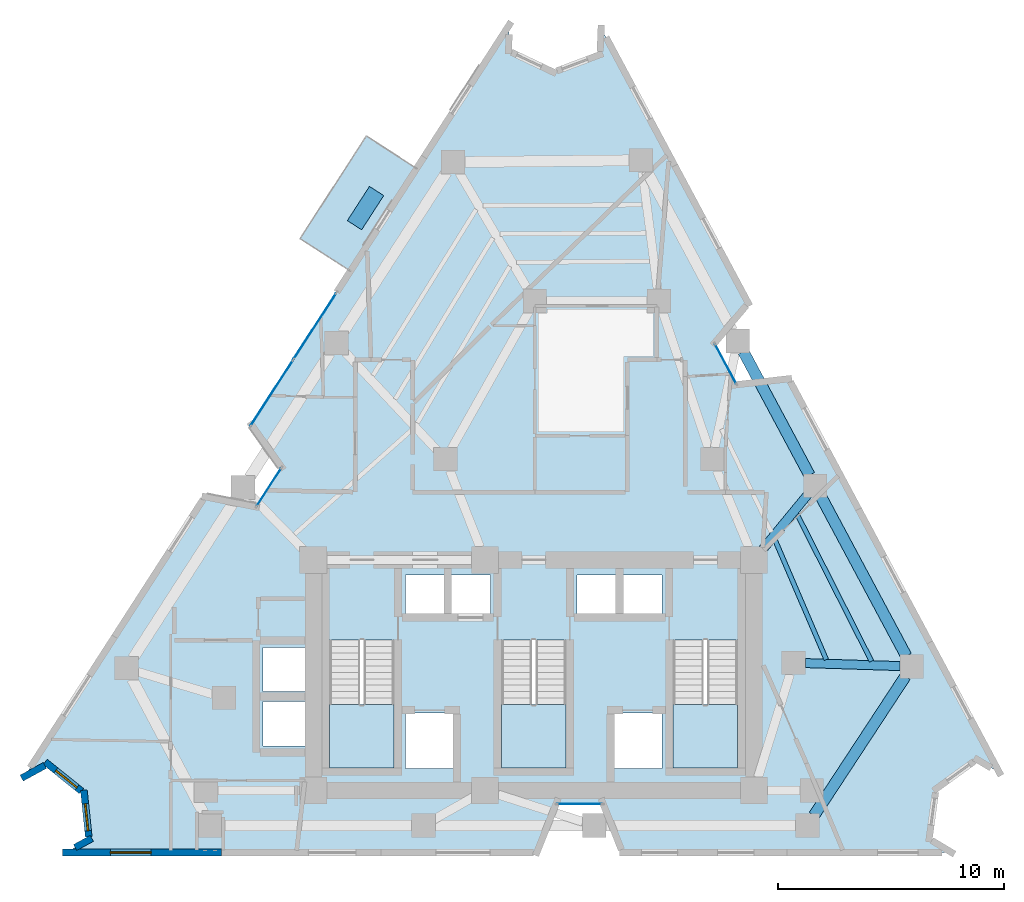
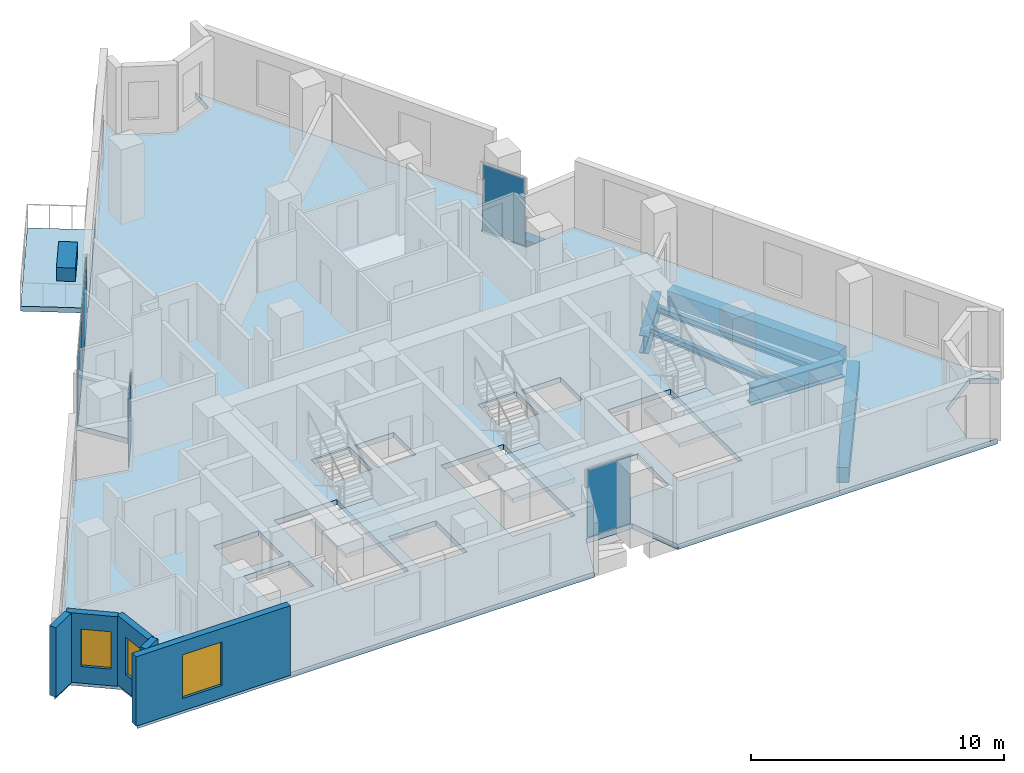
# One storey, part 4 of 10: 7 beams, 6 plates, 5 slabs, 5 walls, 3 windows, 3 openings, 7 elements without a shape of their own.
"""IFC4 building model written with IfcOpenShell, lengths in metres."""

import ifcopenshell
import ifcopenshell.guid

model = None  # the IFC model being written
_history = None  # IfcOwnerHistory: only IFC2X3 demands one
_inside = {}  # id of a spatial element -> (the spatial element, [elements in it])
_under = {}  # id of a project, library or spatial element -> (it, [spatial elements below it])
_declared = {}  # id of a project -> (the project, [libraries it declares])
_typed = {}  # id of a type object -> (the type object, [elements of that type])
_made_of = {}  # id of a material, layer set ... -> (it, [elements and type objects made of it])


def new_model(schema):
    """Start an empty IFC model of exactly this schema.

    Asked for "IFC4X3", IfcOpenShell would pick the latest addendum, in which some entities
    have other attributes; the version numbers below select the first issue.
    IFC2X3 requires an IfcOwnerHistory on every rooted entity: one is made here for all.
    """
    global model, _history
    if schema == "IFC4X3":
        model = ifcopenshell.file(schema_version=(4, 3, 0, 0))
    else:
        model = ifcopenshell.file(schema=schema)
    _inside.clear()
    _under.clear()
    _declared.clear()
    _typed.clear()
    _made_of.clear()
    _history = None
    if model.schema == "IFC2X3":
        org = make("IfcOrganization", Name="unknown")
        user = make(
            "IfcPersonAndOrganization",
            ThePerson=make("IfcPerson", FamilyName="unknown"),
            TheOrganization=org,
        )
        app = make(
            "IfcApplication",
            ApplicationDeveloper=org,
            Version="unknown",
            ApplicationFullName="unknown",
            ApplicationIdentifier="unknown",
        )
        _history = make(
            "IfcOwnerHistory",
            OwningUser=user,
            OwningApplication=app,
            ChangeAction="ADDED",
            CreationDate=0,
        )
    return model


def make(cls, **values):
    """One entity of the class cls with the attributes given. An attribute that is None is left unset."""
    return model.create_entity(
        cls, **{name: value for name, value in values.items() if value is not None}
    )


def rooted(cls, **values):
    """An entity with a GlobalId (a new one), such as an element, a storey or a relation."""
    return make(cls, GlobalId=ifcopenshell.guid.new(), OwnerHistory=_history, **values)


def si_unit(unit_type, name, prefix=None):
    """IfcSIUnit, for example si_unit("LENGTHUNIT", "METRE", prefix="MILLI")."""
    return make("IfcSIUnit", UnitType=unit_type, Prefix=prefix, Name=name)


def assignment(units):
    """IfcUnitAssignment: the units of a project."""
    return None if units is None else make("IfcUnitAssignment", Units=units)


def point(xyz):
    """IfcCartesianPoint."""
    return None if xyz is None else make("IfcCartesianPoint", Coordinates=xyz)


def direction(xyz):
    """IfcDirection."""
    return None if xyz is None else make("IfcDirection", DirectionRatios=xyz)


def frame(location, z_axis=None, x_axis=None):
    """IfcAxis2Placement3D, a coordinate frame: its origin and axes. An axis left out is left unset."""
    return make(
        "IfcAxis2Placement3D",
        Location=point(location),
        Axis=direction(z_axis),
        RefDirection=direction(x_axis),
    )


def frame_2d(location, x_axis=None):
    """IfcAxis2Placement2D, a coordinate frame in the plane: its origin and x axis."""
    return make(
        "IfcAxis2Placement2D", Location=point(location), RefDirection=direction(x_axis)
    )


def origin():
    """The frame at (0, 0, 0) with its axes left unset."""
    return frame((0.0, 0.0, 0.0))


def origin_2d():
    """The frame at (0, 0) in the plane with its x axis left unset."""
    return frame_2d((0.0, 0.0))


def place(relative_to, where):
    """IfcLocalPlacement: puts the frame where relative to a parent placement (None: the world)."""
    return make(
        "IfcLocalPlacement", PlacementRelTo=relative_to, RelativePlacement=where
    )


def context(
    kind, dimensions, precision=None, world=None, true_north=None, identifier=None
):
    """IfcGeometricRepresentationContext, for example the 3D "Model" context."""
    return make(
        "IfcGeometricRepresentationContext",
        ContextIdentifier=identifier,
        ContextType=kind,
        CoordinateSpaceDimension=dimensions,
        Precision=precision,
        WorldCoordinateSystem=world,
        TrueNorth=true_north,
    )


def subcontext(parent, identifier, kind, view, scale=None):
    """IfcGeometricRepresentationSubContext, for example "Body" below "Model"."""
    return make(
        "IfcGeometricRepresentationSubContext",
        ContextIdentifier=identifier,
        ContextType=kind,
        ParentContext=parent,
        TargetScale=scale,
        TargetView=view,
    )


def project(units=None, contexts=None):
    """IfcProject with its units and contexts."""
    return rooted(
        "IfcProject",
        Name="project",
        RepresentationContexts=contexts,
        UnitsInContext=assignment(units),
    )


def spatial(cls, under=None, at=None, **own):
    """A site, building, storey or space (cls), placed at a placement, below another one or the project."""
    s = rooted(cls, ObjectPlacement=at, **own)
    if under is not None:
        _under.setdefault(under.id(), (under, []))[1].append(s)
    return s


def polyline(points):
    """IfcPolyline through the points."""
    return make("IfcPolyline", Points=[point(p) for p in points])


def profile(cls, at=None, kind="AREA", **sizes):
    """A parametric profile (cls). Its sizes go by their IFC names, for example OverallWidth=200.0."""
    return make(cls, ProfileType=kind, Position=at, **sizes)


def rectangle(**sizes):
    """IfcRectangleProfileDef."""
    return profile("IfcRectangleProfileDef", **sizes)


def i_section(**sizes):
    """IfcIShapeProfileDef."""
    return profile("IfcIShapeProfileDef", **sizes)


def outline(outer, holes=None, kind="AREA"):
    """IfcArbitraryClosedProfileDef: a profile drawn as a closed curve; with holes, ...WithVoids."""
    if holes is None:
        return make("IfcArbitraryClosedProfileDef", ProfileType=kind, OuterCurve=outer)
    return make(
        "IfcArbitraryProfileDefWithVoids",
        ProfileType=kind,
        OuterCurve=outer,
        InnerCurves=holes,
    )


def extrude(swept, where, along, depth):
    """IfcExtrudedAreaSolid: the profile swept, set in the frame where, extruded along a direction by depth."""
    return make(
        "IfcExtrudedAreaSolid",
        SweptArea=swept,
        Position=where,
        ExtrudedDirection=direction(along),
        Depth=depth,
    )


def shape(context_of_items, identifier, shape_type, items):
    """IfcShapeRepresentation: the items that make up one representation, for example the "Body"."""
    return make(
        "IfcShapeRepresentation",
        ContextOfItems=context_of_items,
        RepresentationIdentifier=identifier,
        RepresentationType=shape_type,
        Items=items,
    )


def material(Name=None, Category=None):
    """IfcMaterial."""
    return make("IfcMaterial", Name=Name, Category=Category)


def layer(
    of_material, thickness, ventilated=None, Name=None, Category=None, Priority=None
):
    """IfcMaterialLayer: one layer of a wall or slab, of a material (None: an air gap)."""
    return make(
        "IfcMaterialLayer",
        Material=of_material,
        LayerThickness=thickness,
        IsVentilated=ventilated,
        Name=Name,
        Category=Category,
        Priority=Priority,
    )


def layer_set(layers, Name=None):
    """IfcMaterialLayerSet."""
    return make("IfcMaterialLayerSet", MaterialLayers=layers, LayerSetName=Name)


def material_profile(
    of_material, cross_section, Name=None, Category=None, Priority=None
):
    """IfcMaterialProfile: a cross section and its material."""
    return make(
        "IfcMaterialProfile",
        Name=Name,
        Material=of_material,
        Profile=cross_section,
        Priority=Priority,
        Category=Category,
    )


def profile_set(profiles, Name=None, composite=None):
    """IfcMaterialProfileSet."""
    return make(
        "IfcMaterialProfileSet",
        Name=Name,
        MaterialProfiles=profiles,
        CompositeProfile=composite,
    )


def made_of(thing, what):
    """Note that an element or type object is made of a material, layer set ...; save() writes the relation."""
    if what is not None:
        _made_of.setdefault(what.id(), (what, []))[1].append(thing)
    return thing


def type_object(cls, material=None, **own):
    """A type object (cls), such as IfcWallType, which elements share."""
    return made_of(rooted(cls, **own), material)


def element(
    cls,
    number,
    at=None,
    inside=None,
    cuts=None,
    type_object=None,
    material=None,
    context=None,
    identifier="Body",
    shape_type=None,
    held_by="IfcProductDefinitionShape",
    body=None,
    shapes=None,
    **own,
):
    """One element of the class cls, such as IfcWall. Its Tag is "e" and its number.

    at: its placement. inside: the storey or other place that contains it. cuts: it is an
    opening in that element (IfcRelVoidsElement). A single representation is given by context,
    identifier, shape_type and body (its items); several are given by shapes. held_by: the class
    of the entity that holds the representations. save() writes the other relations.
    """
    e = rooted(cls, Tag="e%d" % number, ObjectPlacement=at, **own)
    if body is not None:
        shapes = [shape(context, identifier, shape_type, body)]
    if shapes is not None:
        e.Representation = make(held_by, Representations=shapes)
    if inside is not None:
        _inside.setdefault(inside.id(), (inside, []))[1].append(e)
    if cuts is not None:
        rooted(
            "IfcRelVoidsElement", RelatingBuildingElement=cuts, RelatedOpeningElement=e
        )
    if type_object is not None:
        _typed.setdefault(type_object.id(), (type_object, []))[1].append(e)
    return made_of(e, material)


def fill(opening, filler):
    """IfcRelFillsElement: the door or window that sits in an opening."""
    return rooted(
        "IfcRelFillsElement",
        RelatingOpeningElement=opening,
        RelatedBuildingElement=filler,
    )


def aggregate(whole, parts):
    """IfcRelAggregates: a whole, such as a stair, and the parts it consists of."""
    return rooted("IfcRelAggregates", RelatingObject=whole, RelatedObjects=parts)


def save(model, path):
    """Write the relations noted so far, then the file.

    IfcRelAggregates (storeys below a building ...), IfcRelContainedInSpatialStructure (elements
    in a storey), IfcRelDefinesByType, IfcRelAssociatesMaterial and IfcRelDeclares: one each for
    every whole, place, type object, material and project.
    """
    for whole, parts in _under.values():
        aggregate(whole, parts)
    for where, things in _inside.values():
        rooted(
            "IfcRelContainedInSpatialStructure",
            RelatedElements=things,
            RelatingStructure=where,
        )
    for kind, things in _typed.values():
        rooted("IfcRelDefinesByType", RelatedObjects=things, RelatingType=kind)
    for what, things in _made_of.values():
        rooted("IfcRelAssociatesMaterial", RelatedObjects=things, RelatingMaterial=what)
    for by, libraries in _declared.values():
        rooted("IfcRelDeclares", RelatingContext=by, RelatedDefinitions=libraries)
    model.write(path)


model = new_model("IFC4")

# Units and contexts
model_context = context("Model", 3, precision=1e-05, world=origin(), true_north=direction((0.0, 1.0)))
body_context = subcontext(model_context, "Body", "Model", "MODEL_VIEW")
ifc_project = project(units=[si_unit("LENGTHUNIT", "METRE"), si_unit("AREAUNIT", "SQUARE_METRE"), si_unit("VOLUMEUNIT", "CUBIC_METRE"), si_unit("PLANEANGLEUNIT", "RADIAN"), si_unit("MASSUNIT", "GRAM", prefix="KILO")], contexts=[model_context])

# Site, building, storey
site_placement = place(None, origin())
site = spatial("IfcSite", under=ifc_project, at=site_placement, CompositionType="ELEMENT")
building_placement = place(site_placement, origin())
building = spatial("IfcBuilding", under=site, at=building_placement, Name="Almagre Mirador Tower", CompositionType="ELEMENT")
storey_placement = place(building_placement, frame((0.0, 0.0, 186.0)))
storey = spatial("IfcBuildingStorey", under=building, at=storey_placement, Name="L48", CompositionType="ELEMENT", Elevation=186.0)

# Beams
ifc_material_1 = material(Name="Steel ASTM A992 Grade 50", Category="steel")
ifc_material_profile_1 = material_profile(ifc_material_1, i_section(OverallWidth=0.205078125, OverallDepth=0.31005859375, WebThickness=0.009521484375, FlangeThickness=0.016357421875, FilletRadius=0.013916015625, at=origin_2d()), Name="W12X50")
ifc_profile_set_1 = profile_set([ifc_material_profile_1], Name="Steel ASTM A992 Grade 50")
beam_type_1 = type_object("IfcBeamType", Name="BM-JST-W12X50", PredefinedType="JOIST", material=ifc_profile_set_1)
beam_1_placement = place(storey_placement, frame((52.24755859375, 10.265869140625, -0.405029296875), z_axis=(-0.45155923069, 0.892241145195, 0.0), x_axis=(-0.892241145195, -0.45155923069, 0.0)))
element("IfcBeam", 1, at=beam_1_placement, inside=storey, type_object=beam_type_1, Name="L48 secondary floor joist PC05-PC06.1", PredefinedType="JOIST", context=body_context, shape_type="SweptSolid", body=[
    extrude(i_section(OverallWidth=0.205078125, OverallDepth=0.31005859375, WebThickness=0.009521484375, FlangeThickness=0.016357421875, FilletRadius=0.013916015625, at=origin_2d()), origin(), (0.0, 0.0, 1.0), 7.294677734375),
])
beam_2_placement = place(storey_placement, frame((50.250244140625, 10.3349609375, -0.405029296875), z_axis=(-0.394268360647, 0.918995353521, 0.0), x_axis=(-0.918995353521, -0.394268360647, 0.0)))
element("IfcBeam", 2, at=beam_2_placement, inside=storey, type_object=beam_type_1, Name="L48 secondary floor joist PC05-PC06.3", PredefinedType="JOIST", context=body_context, shape_type="SweptSolid", body=[
    extrude(i_section(OverallWidth=0.205078125, OverallDepth=0.31005859375, WebThickness=0.009521484375, FlangeThickness=0.016357421875, FilletRadius=0.013916015625, at=origin_2d()), origin(), (0.0, 0.0, 1.0), 5.739501953125),
])
ifc_material_2 = material(Name="Precast concrete C50/60", Category="concrete")
ifc_material_profile_2 = material_profile(ifc_material_2, rectangle(XDim=0.5, YDim=0.75, at=origin_2d()), Name="RC500X750")
ifc_profile_set_2 = profile_set([ifc_material_profile_2], Name="Precast concrete C50/60")
beam_type_2 = type_object("IfcBeamType", Name="BM-SPN-RC500X750", PredefinedType="SPANDREL", material=ifc_profile_set_2)
beam_3_placement = place(storey_placement, frame((49.7041015625, 3.43896484375, -0.625), z_axis=(0.548818634592, 0.835941449101, 0.0), x_axis=(-0.835941449101, 0.548818634592, 0.0)))
element("IfcBeam", 3, at=beam_3_placement, inside=storey, type_object=beam_type_2, Name="L48 perimeter spandrel beam PC04-PC05", PredefinedType="SPANDREL", context=body_context, shape_type="SweptSolid", body=[
    extrude(rectangle(XDim=0.5, YDim=0.75, at=origin_2d()), origin(), (0.0, 0.0, 1.0), 7.364501953125),
])
beam_4_placement = place(storey_placement, frame((53.786376953125, 10.496826171875, -0.625), z_axis=(-0.471728183201, 0.881744022477, 0.0), x_axis=(-0.881744022477, -0.471728183201, 0.0)))
element("IfcBeam", 4, at=beam_4_placement, inside=storey, type_object=beam_type_2, Name="L48 perimeter spandrel beam PC05-PC06", PredefinedType="SPANDREL", context=body_context, shape_type="SweptSolid", body=[
    extrude(rectangle(XDim=0.5, YDim=0.75, at=origin_2d()), origin(), (0.0, 0.0, 1.0), 8.02294921875),
])
beam_5_placement = place(storey_placement, frame((49.50634765625, 18.496826171875, -0.625), z_axis=(-0.471722643875, 0.881746985963, 0.0), x_axis=(-0.881746985963, -0.471722643875, 0.0)))
element("IfcBeam", 5, at=beam_5_placement, inside=storey, type_object=beam_type_2, Name="L48 perimeter spandrel beam PC06-PC07", PredefinedType="SPANDREL", context=body_context, shape_type="SweptSolid", body=[
    extrude(rectangle(XDim=0.5, YDim=0.75, at=origin_2d()), origin(), (0.0, 0.0, 1.0), 6.20849609375),
])
ifc_material_3 = material(Name="Steel ASTM A992 Grade 50", Category="steel")
ifc_material_profile_3 = material_profile(ifc_material_3, i_section(OverallWidth=0.39892578125, OverallDepth=0.85595703125, WebThickness=0.018310546875, FlangeThickness=0.029296875, FilletRadius=0.02490234375, at=origin_2d()), Name="W33X201")
ifc_profile_set_3 = profile_set([ifc_material_profile_3], Name="Steel ASTM A992 Grade 50")
beam_type_3 = type_object("IfcBeamType", Name="BM-STL-W33X201", PredefinedType="BEAM", material=ifc_profile_set_3)
beam_6_placement = place(storey_placement, frame((53.50927734375, 10.050537109375, -0.677978515625), z_axis=(-0.999496710108, 0.031722649376, 0.0), x_axis=(-0.031722649376, -0.999496710108, 0.0)))
element("IfcBeam", 6, at=beam_6_placement, inside=storey, type_object=beam_type_3, Name="L48 radial floor girder PC05-MC3", PredefinedType="BEAM", context=body_context, shape_type="SweptSolid", body=[
    extrude(i_section(OverallWidth=0.39892578125, OverallDepth=0.85595703125, WebThickness=0.018310546875, FlangeThickness=0.029296875, FilletRadius=0.02490234375, at=origin_2d()), origin(), (0.0, 0.0, 1.0), 4.186767578125),
])
beam_7_placement = place(storey_placement, frame((49.42041015625, 17.628662109375, -0.677978515625), z_axis=(-0.635660759113, -0.771968522237, 0.0), x_axis=(0.771968522237, -0.635660759113, 0.0)))
element("IfcBeam", 7, at=beam_7_placement, inside=storey, type_object=beam_type_3, Name="L48 radial floor girder PC06-CC6", PredefinedType="BEAM", context=body_context, shape_type="SweptSolid", body=[
    extrude(i_section(OverallWidth=0.39892578125, OverallDepth=0.85595703125, WebThickness=0.018310546875, FlangeThickness=0.029296875, FilletRadius=0.02490234375, at=origin_2d()), origin(), (0.0, 0.0, 1.0), 3.129150390625),
])

# Curtain wall, plate
ifc_material_4 = material(Name="Black anodized aluminium", Category="aluminium")
ifc_layer_1 = layer(ifc_material_4, 0.169921875)
ifc_layer_set_1 = layer_set([ifc_layer_1], Name="Black anodized aluminium")
curtain_wall_type_1 = type_object("IfcCurtainWallType", Name="CW-CRS-SYS", PredefinedType="NOTDEFINED", material=ifc_layer_set_1)
curtain_wall_1_placement = place(storey_placement, origin())
curtain_wall_1 = element("IfcCurtainWall", 8, at=curtain_wall_1_placement, inside=storey, type_object=curtain_wall_type_1, Name="L48 vertical crease curtain wall 01", PredefinedType="NOTDEFINED")
ifc_material_5 = material(Name="Dark solar-control laminated hurricane glass", Category="glass")
ifc_layer_2 = layer(ifc_material_5, 0.028076171875)
ifc_layer_set_2 = layer_set([ifc_layer_2], Name="Dark solar-control laminated hurricane glass")
plate_type_1 = type_object("IfcPlateType", Name="PLT-GLZ-28", PredefinedType="CURTAIN_PANEL", material=ifc_layer_set_2)
plate_1_placement = place(storey_placement, frame((25.589599609375, 17.972412109375, 0.06005859375), z_axis=(0.0, 0.0, 1.0), x_axis=(0.541941642109, 0.840416121066, 0.0)))
plate_1 = element("IfcPlate", 9, at=plate_1_placement, type_object=plate_type_1, Name="CW-4 panel 1.1", PredefinedType="CURTAIN_PANEL", context=body_context, shape_type="SweptSolid", body=[
    extrude(rectangle(XDim=1.970703125, YDim=0.028076171875, at=origin_2d()), origin(), (0.0, 0.0, 1.0), 3.22998046875),
])
aggregate(curtain_wall_1, [plate_1])

curtain_wall_2_placement = place(storey_placement, origin())
curtain_wall_2 = element("IfcCurtainWall", 10, at=curtain_wall_2_placement, inside=storey, type_object=curtain_wall_type_1, Name="L48 vertical crease curtain wall 03", PredefinedType="NOTDEFINED")
plate_2_placement = place(storey_placement, frame((45.7939453125, 23.42138671875, 0.06005859375), z_axis=(0.0, 0.0, 1.0), x_axis=(0.47173010875, -0.881742992316, 0.0)))
plate_2 = element("IfcPlate", 11, at=plate_2_placement, type_object=plate_type_1, Name="CW-4 panel 1.1", PredefinedType="CURTAIN_PANEL", context=body_context, shape_type="SweptSolid", body=[
    extrude(rectangle(XDim=1.97021484375, YDim=0.028076171875, at=origin_2d()), origin(), (0.0, 0.0, 1.0), 3.22998046875),
])
aggregate(curtain_wall_2, [plate_2])

curtain_wall_3_placement = place(storey_placement, origin())
curtain_wall_3 = element("IfcCurtainWall", 12, at=curtain_wall_3_placement, inside=storey, type_object=curtain_wall_type_1, Name="L48 vertical crease curtain wall 04", PredefinedType="NOTDEFINED")
plate_3_placement = place(storey_placement, frame((39.3359375, 3.949951171875, 0.06005859375), z_axis=(0.0, 0.0, 1.0), x_axis=(-1.0, 0.0, 0.0)))
plate_3 = element("IfcPlate", 13, at=plate_3_placement, type_object=plate_type_1, Name="CW-4 panel 1.1", PredefinedType="CURTAIN_PANEL", context=body_context, shape_type="SweptSolid", body=[
    extrude(rectangle(XDim=1.969970703125, YDim=0.028076171875, at=origin_2d()), origin(), (0.0, 0.0, 1.0), 3.22998046875),
])
aggregate(curtain_wall_3, [plate_3])

# Curtain wall, plates
ifc_material_6 = material(Name="Black anodized aluminium", Category="aluminium")
ifc_layer_3 = layer(ifc_material_6, 0.199951171875)
ifc_layer_set_3 = layer_set([ifc_layer_3], Name="Black anodized aluminium")
curtain_wall_type_2 = type_object("IfcCurtainWallType", Name="CW-RES-H-SYS", PredefinedType="NOTDEFINED", material=ifc_layer_set_3)
curtain_wall_4_placement = place(storey_placement, origin())
curtain_wall_4 = element("IfcCurtainWall", 14, at=curtain_wall_4_placement, inside=storey, type_object=curtain_wall_type_2, Name="L48 curtain wall run 02", PredefinedType="NOTDEFINED")
ifc_material_7 = material(Name="Dark solar-control laminated hurricane glass", Category="glass")
ifc_layer_4 = layer(ifc_material_7, 0.035888671875)
ifc_layer_set_4 = layer_set([ifc_layer_4], Name="Dark solar-control laminated hurricane glass")
plate_type_2 = type_object("IfcPlateType", Name="PLT-GLZ-36", PredefinedType="CURTAIN_PANEL", material=ifc_layer_set_4)
plate_4_placement = place(storey_placement, frame((25.710205078125, 22.1259765625, 0.06494140625), z_axis=(0.0, 0.0, 1.0), x_axis=(0.542024114112, 0.840362933334, 0.0)))
plate_4 = element("IfcPlate", 15, at=plate_4_placement, type_object=plate_type_2, Name="CW-3 panel 1.1", PredefinedType="CURTAIN_PANEL", context=body_context, shape_type="SweptSolid", body=[
    extrude(rectangle(XDim=3.46044921875, YDim=0.035888671875, at=origin_2d()), origin(), (0.0, 0.0, 1.0), 3.219970703125),
])
plate_5_placement = place(storey_placement, frame((27.620849609375, 25.08837890625, 0.06494140625), z_axis=(0.0, 0.0, 1.0), x_axis=(0.542024114112, 0.840362933334, 0.0)))
plate_5 = element("IfcPlate", 16, at=plate_5_placement, type_object=plate_type_2, Name="CW-3 panel 2.1", PredefinedType="CURTAIN_PANEL", context=body_context, shape_type="SweptSolid", body=[
    extrude(rectangle(XDim=3.46044921875, YDim=0.035888671875, at=origin_2d()), origin(), (0.0, 0.0, 1.0), 3.219970703125),
])
aggregate(curtain_wall_4, [plate_4, plate_5])

# Plate
ifc_material_8 = material(Name="Precast concrete C50/60", Category="concrete")
ifc_layer_5 = layer(ifc_material_8, 0.64990234375)
ifc_layer_set_5 = layer_set([ifc_layer_5], Name="Precast concrete C50/60")
plate_type_3 = type_object("IfcPlateType", Name="PLT-PLANTER-1800", PredefinedType="USERDEFINED", material=ifc_layer_set_5)
plate_6_placement = place(storey_placement, frame((29.862060546875, 30.31494140625, 0.0), z_axis=(0.0, 0.0, 1.0), x_axis=(-0.542030924747, -0.840358540516, 0.0)))
element("IfcPlate", 17, at=plate_6_placement, inside=storey, type_object=plate_type_3, Name="L48 west balcony structural tree planter 1", ObjectType="PLANTER", PredefinedType="USERDEFINED", context=body_context, shape_type="SweptSolid", body=[
    extrude(rectangle(XDim=1.800048828125, YDim=0.75, at=origin_2d()), origin(), (0.0, 0.0, 1.0), 0.64990234375),
])

# Slabs
ifc_material_9 = material(Name="Concrete C45/55", Category="concrete")
ifc_layer_6 = layer(ifc_material_9, 0.239990234375)
ifc_layer_set_6 = layer_set([ifc_layer_6], Name="Concrete C45/55")
slab_type_1 = type_object("IfcSlabType", Name="SLB-BAL-240", PredefinedType="USERDEFINED", material=ifc_layer_set_6)
slab_1_placement = place(storey_placement, frame((0.0, 0.0, -0.239990234375)))
element("IfcSlab", 18, at=slab_1_placement, inside=storey, type_object=slab_type_1, Name="L48 west planted tree balcony 1", ObjectType="BALCONY", PredefinedType="USERDEFINED", context=body_context, shape_type="SweptSolid", body=[
    extrude(outline(polyline([(32.139892578125, 32.05810546875), (29.214111328125, 27.52001953125), (26.969970703125, 28.967041015625), (29.89697265625, 33.5048828125), (32.139892578125, 32.05810546875)])), origin(), (0.0, 0.0, 1.0), 0.239990234375),
])
ifc_material_10 = material(Name="Concrete C45/55", Category="concrete")
ifc_layer_7 = layer(ifc_material_10, 0.25)
ifc_layer_set_7 = layer_set([ifc_layer_7], Name="Concrete C45/55")
slab_type_2 = type_object("IfcSlabType", Name="SLB-FLR-250", PredefinedType="FLOOR", material=ifc_layer_set_7)
slab_2_placement = place(storey_placement, frame((0.0, 0.0, -0.25)))
element("IfcSlab", 19, at=slab_2_placement, inside=storey, type_object=slab_type_2, Name="L48 structural floor slab", PredefinedType="FLOOR", context=body_context, shape_type="SweptSolid", body=[
    extrude(outline(polyline([(14.76806640625, 5.160888671875), (15.794921875, 5.720947265625), (17.412109375, 4.422119140625), (17.626953125, 2.360107421875), (16.60009765625, 1.800048828125), (37.43603515625, 1.800048828125), (38.291015625, 3.949951171875), (40.381103515625, 3.949951171875), (41.236083984375, 1.800048828125), (55.800048828125, 1.800048828125), (54.7958984375, 2.40087890625), (55.09912109375, 4.615966796875), (56.908935546875, 5.927978515625), (57.9130859375, 5.326904296875), (48.5859375, 22.760009765625), (46.287109375, 22.5), (45.301025390625, 24.343017578125), (46.7939453125, 26.111083984375), (40.287109375, 38.27294921875), (40.239013671875, 37.10400390625), (38.176025390625, 36.324951171875), (36.18408203125, 37.27001953125), (36.23193359375, 38.43896484375), (24.81298828125, 20.735107421875), (26.156005859375, 18.85107421875), (25.02294921875, 17.093994140625), (22.7529296875, 17.541015625), (14.76806640625, 5.160888671875)]), holes=[polyline([(43.47509765625, 5.550048828125), (43.47509765625, 11.196044921875), (46.324951171875, 11.196044921875), (46.324951171875, 5.550048828125), (43.47509765625, 5.550048828125)]), polyline([(40.820068359375, 5.52001953125), (40.820068359375, 7.97998046875), (42.97998046875, 7.97998046875), (42.97998046875, 5.52001953125), (40.820068359375, 5.52001953125)]), polyline([(41.219970703125, 12.320068359375), (41.219970703125, 14.080078125), (42.97998046875, 14.080078125), (42.97998046875, 12.320068359375), (41.219970703125, 12.320068359375)]), polyline([(39.219970703125, 12.320068359375), (39.219970703125, 14.080078125), (40.97998046875, 14.080078125), (40.97998046875, 12.320068359375), (39.219970703125, 12.320068359375)]), polyline([(35.875, 11.196044921875), (38.72509765625, 11.196044921875), (38.72509765625, 5.550048828125), (35.875, 5.550048828125), (35.875, 11.196044921875)]), polyline([(35.3798828125, 12.320068359375), (33.6201171875, 12.320068359375), (33.6201171875, 14.080078125), (35.3798828125, 14.080078125), (35.3798828125, 12.320068359375)]), polyline([(33.780029296875, 5.52001953125), (31.6201171875, 5.52001953125), (31.6201171875, 7.97998046875), (33.780029296875, 7.97998046875), (33.780029296875, 5.52001953125)]), polyline([(31.6201171875, 12.320068359375), (31.6201171875, 14.080078125), (33.3798828125, 14.080078125), (33.3798828125, 12.320068359375), (31.6201171875, 12.320068359375)]), polyline([(28.27490234375, 5.550048828125), (28.27490234375, 11.196044921875), (31.125, 11.196044921875), (31.125, 5.550048828125), (28.27490234375, 5.550048828125)]), polyline([(25.320068359375, 8.919921875), (25.320068359375, 10.8798828125), (27.3798828125, 10.8798828125), (27.3798828125, 8.919921875), (25.320068359375, 8.919921875)]), polyline([(27.3798828125, 6.52001953125), (25.320068359375, 6.52001953125), (25.320068359375, 8.47998046875), (27.3798828125, 8.47998046875), (27.3798828125, 6.52001953125)])]), origin(), (0.0, 0.0, 1.0), 0.25),
])

# Stair, slab
ifc_material_11 = material(Name="Concrete C45/55", Category="concrete")
stair_type = type_object("IfcStairType", Name="STR-DL-3600", PredefinedType="HALF_TURN_STAIR", material=ifc_material_11)
stair_1_placement = place(storey_placement, origin())
stair_1 = element("IfcStair", 20, at=stair_1_placement, inside=storey, type_object=stair_type, Name="L48 Protected exit stair ST-1", PredefinedType="HALF_TURN_STAIR")
ifc_material_12 = material(Name="Concrete C45/55", Category="concrete")
ifc_layer_8 = layer(ifc_material_12, 0.199951171875)
ifc_layer_set_8 = layer_set([ifc_layer_8], Name="Concrete C45/55")
slab_type_3 = type_object("IfcSlabType", Name="SLB-LND-200", PredefinedType="LANDING", material=ifc_layer_set_8)
slab_3_placement = place(storey_placement, frame((0.0, 0.0, 1.60009765625)))
slab_3 = element("IfcSlab", 21, at=slab_3_placement, type_object=slab_type_3, Name="ST-1 landing 1", PredefinedType="LANDING", context=body_context, shape_type="SweptSolid", body=[
    extrude(outline(polyline([(28.27490234375, 8.35009765625), (28.27490234375, 5.550048828125), (31.125, 5.550048828125), (31.125, 8.35009765625), (28.27490234375, 8.35009765625)])), origin(), (0.0, 0.0, 1.0), 0.199951171875),
])
aggregate(stair_1, [slab_3])

stair_2_placement = place(storey_placement, origin())
stair_2 = element("IfcStair", 22, at=stair_2_placement, inside=storey, type_object=stair_type, Name="L48 Protected exit stair ST-2", PredefinedType="HALF_TURN_STAIR")
slab_4_placement = place(storey_placement, frame((0.0, 0.0, 1.60009765625)))
slab_4 = element("IfcSlab", 23, at=slab_4_placement, type_object=slab_type_3, Name="ST-2 landing 1", PredefinedType="LANDING", context=body_context, shape_type="SweptSolid", body=[
    extrude(outline(polyline([(35.875, 8.35009765625), (35.875, 5.550048828125), (38.72509765625, 5.550048828125), (38.72509765625, 8.35009765625), (35.875, 8.35009765625)])), origin(), (0.0, 0.0, 1.0), 0.199951171875),
])
aggregate(stair_2, [slab_4])

stair_3_placement = place(storey_placement, origin())
stair_3 = element("IfcStair", 24, at=stair_3_placement, inside=storey, type_object=stair_type, Name="L48 Protected exit stair ST-3", PredefinedType="HALF_TURN_STAIR")
slab_5_placement = place(storey_placement, frame((0.0, 0.0, 1.60009765625)))
slab_5 = element("IfcSlab", 25, at=slab_5_placement, type_object=slab_type_3, Name="ST-3 landing 1", PredefinedType="LANDING", context=body_context, shape_type="SweptSolid", body=[
    extrude(outline(polyline([(43.47509765625, 8.35009765625), (43.47509765625, 5.550048828125), (46.324951171875, 5.550048828125), (46.324951171875, 8.35009765625), (43.47509765625, 8.35009765625)])), origin(), (0.0, 0.0, 1.0), 0.199951171875),
])
aggregate(stair_3, [slab_5])

# Wall, opening, window
ifc_material_13 = material(Name="Precast concrete C50/60", Category="concrete")
ifc_layer_9 = layer(ifc_material_13, 0.300048828125)
ifc_layer_set_9 = layer_set([ifc_layer_9], Name="Precast concrete C50/60")
wall_type = type_object("IfcWallType", Name="WAL-EXT-300", PredefinedType="SOLIDWALL", material=ifc_layer_set_9)
wall_1_placement = place(storey_placement, frame((23.498779296875, 1.800048828125, 0.0), z_axis=(0.0, 0.0, 1.0), x_axis=(-1.0, 0.0, 0.0)))
wall_1 = element("IfcWall", 26, at=wall_1_placement, inside=storey, type_object=wall_type, Name="L48 expressed almagre precast frame wall 26", PredefinedType="SOLIDWALL", context=body_context, shape_type="SweptSolid", body=[
    extrude(rectangle(XDim=7.038818359375, YDim=0.300048828125, at=frame_2d((3.51953125, 0.0))), origin(), (0.0, 0.0, 1.0), 3.35009765625),
])
opening_1_placement = place(wall_1_placement, frame((3.125, 0.0, 0.60009765625)))
opening_1 = element("IfcOpeningElement", 27, at=opening_1_placement, cuts=wall_1, Name="Opening WN-01", PredefinedType="OPENING", context=body_context, shape_type="SweptSolid", body=[
    extrude(rectangle(XDim=1.800048828125, YDim=2.10009765625, at=frame_2d((0.89990234375, 1.050048828125))), frame((0.0, 0.159902, 0.0), z_axis=(0.0, -1.0, 0.0), x_axis=(1.0, 0.0, 0.0)), (0.0, 0.0, 1.0), 0.320049),
])
ifc_material_14 = material(Name="Dark solar-control laminated hurricane glass", Category="glass")
window_type_1 = type_object("IfcWindowType", Name="WIN-1800X2100", PartitioningType="DOUBLE_PANEL_VERTICAL", PredefinedType="WINDOW", material=ifc_material_14)
window_1_placement = place(opening_1_placement, origin())
window_1 = element("IfcWindow", 28, at=window_1_placement, inside=storey, type_object=window_type_1, Name="L48 recessed hurricane window L48-UA-MB", OverallHeight=2.10009765625, OverallWidth=1.800048828125, PartitioningType="SINGLE_PANEL", PredefinedType="WINDOW", context=body_context, shape_type="SweptSolid", body=[
    extrude(rectangle(XDim=1.800048828125, YDim=2.10009765625, at=frame_2d((0.89990234375, 1.050048828125))), frame((0.0, 0.030029296875, 0.0), z_axis=(0.0, -1.0, 0.0), x_axis=(1.0, 0.0, 0.0)), (0.0, 0.0, 1.0), 0.06005859375),
])
fill(opening_1, window_1)

# Wall
wall_2_placement = place(storey_placement, frame((17.0126953125, 2.02490234375, 0.0), z_axis=(0.0, 0.0, 1.0), x_axis=(0.877928900016, 0.478791025936, 0.0)))
element("IfcWall", 29, at=wall_2_placement, inside=storey, type_object=wall_type, Name="L48 expressed almagre precast frame wall 27", PredefinedType="SOLIDWALL", context=body_context, shape_type="SweptSolid", body=[
    extrude(rectangle(XDim=0.83984375, YDim=0.300048828125, at=frame_2d((0.419921875, 0.0))), origin(), (0.0, 0.0, 1.0), 3.35009765625),
])

# Wall, opening, window
wall_3_placement = place(storey_placement, frame((17.612548828125, 2.499267578125, 0.0), z_axis=(0.0, 0.0, 1.0), x_axis=(-0.10374684954, 0.994603735771, 0.0)))
wall_3 = element("IfcWall", 30, at=wall_3_placement, inside=storey, type_object=wall_type, Name="L48 expressed almagre precast frame wall 28", PredefinedType="SOLIDWALL", context=body_context, shape_type="SweptSolid", body=[
    extrude(rectangle(XDim=2.0732421875, YDim=0.300048828125, at=frame_2d((1.03662109375, 0.0))), origin(), (0.0, 0.0, 1.0), 3.35009765625),
])
opening_2_placement = place(wall_3_placement, frame((0.27001953125, 0.0, 0.800048828125)))
opening_2 = element("IfcOpeningElement", 31, at=opening_2_placement, cuts=wall_3, Name="Opening WN-04", PredefinedType="OPENING", context=body_context, shape_type="SweptSolid", body=[
    extrude(rectangle(XDim=1.199951171875, YDim=1.800048828125, at=frame_2d((0.60009765625, 0.89990234375))), frame((0.0, 0.159902, 0.0), z_axis=(0.0, -1.0, 0.0), x_axis=(1.0, 0.0, 0.0)), (0.0, 0.0, 1.0), 0.320049),
])
ifc_material_15 = material(Name="Dark solar-control laminated hurricane glass", Category="glass")
window_type_2 = type_object("IfcWindowType", Name="WIN-1200X1800", PartitioningType="SINGLE_PANEL", PredefinedType="WINDOW", material=ifc_material_15)
window_2_placement = place(opening_2_placement, origin())
window_2 = element("IfcWindow", 32, at=window_2_placement, inside=storey, type_object=window_type_2, Name="L48 recessed hurricane window L48-UA-MB", OverallHeight=1.800048828125, OverallWidth=1.199951171875, PartitioningType="SINGLE_PANEL", PredefinedType="WINDOW", context=body_context, shape_type="SweptSolid", body=[
    extrude(rectangle(XDim=1.199951171875, YDim=1.800048828125, at=frame_2d((0.60009765625, 0.89990234375))), frame((0.0, 0.030029296875, 0.0), z_axis=(0.0, -1.0, 0.0), x_axis=(1.0, 0.0, 0.0)), (0.0, 0.0, 1.0), 0.06005859375),
])
fill(opening_2, window_2)

wall_4_placement = place(storey_placement, frame((17.291015625, 4.51904296875, 0.0), z_axis=(0.0, 0.0, 1.0), x_axis=(-0.779594735896, 0.626284318631, 0.0)))
wall_4 = element("IfcWall", 33, at=wall_4_placement, inside=storey, type_object=wall_type, Name="L48 expressed almagre precast frame wall 29", PredefinedType="SOLIDWALL", context=body_context, shape_type="SweptSolid", body=[
    extrude(rectangle(XDim=2.05908203125, YDim=0.300048828125, at=frame_2d((1.029541015625, 0.0))), origin(), (0.0, 0.0, 1.0), 3.35009765625),
])
opening_3_placement = place(wall_4_placement, frame((0.2548828125, 0.0, 0.800048828125)))
opening_3 = element("IfcOpeningElement", 34, at=opening_3_placement, cuts=wall_4, Name="Opening WN-04", PredefinedType="OPENING", context=body_context, shape_type="SweptSolid", body=[
    extrude(rectangle(XDim=1.199951171875, YDim=1.800048828125, at=frame_2d((0.60009765625, 0.89990234375))), frame((0.0, 0.159902, 0.0), z_axis=(0.0, -1.0, 0.0), x_axis=(1.0, 0.0, 0.0)), (0.0, 0.0, 1.0), 0.320049),
])
window_3_placement = place(opening_3_placement, origin())
window_3 = element("IfcWindow", 35, at=window_3_placement, inside=storey, type_object=window_type_2, Name="L48 recessed hurricane window L48-UA-MB", OverallHeight=1.800048828125, OverallWidth=1.199951171875, PartitioningType="SINGLE_PANEL", PredefinedType="WINDOW", context=body_context, shape_type="SweptSolid", body=[
    extrude(rectangle(XDim=1.199951171875, YDim=1.800048828125, at=frame_2d((0.60009765625, 0.89990234375))), frame((0.0, 0.030029296875, 0.0), z_axis=(0.0, -1.0, 0.0), x_axis=(1.0, 0.0, 0.0)), (0.0, 0.0, 1.0), 0.06005859375),
])
fill(opening_3, window_3)

# Wall
wall_5_placement = place(storey_placement, frame((15.672119140625, 5.654052734375, 0.0), z_axis=(0.0, 0.0, 1.0), x_axis=(-0.877959368473, -0.478735153619, 0.0)))
element("IfcWall", 36, at=wall_5_placement, inside=storey, type_object=wall_type, Name="L48 expressed almagre precast frame wall 30", PredefinedType="SOLIDWALL", context=body_context, shape_type="SweptSolid", body=[
    extrude(rectangle(XDim=1.169921875, YDim=0.300048828125, at=frame_2d((0.5849609375, 0.0))), origin(), (0.0, 0.0, 1.0), 3.35009765625),
])

save(model, "model.ifc")
